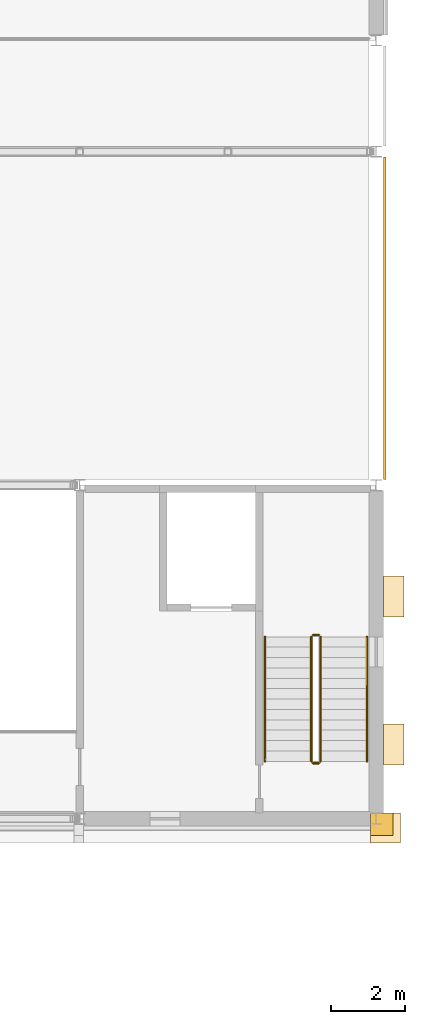
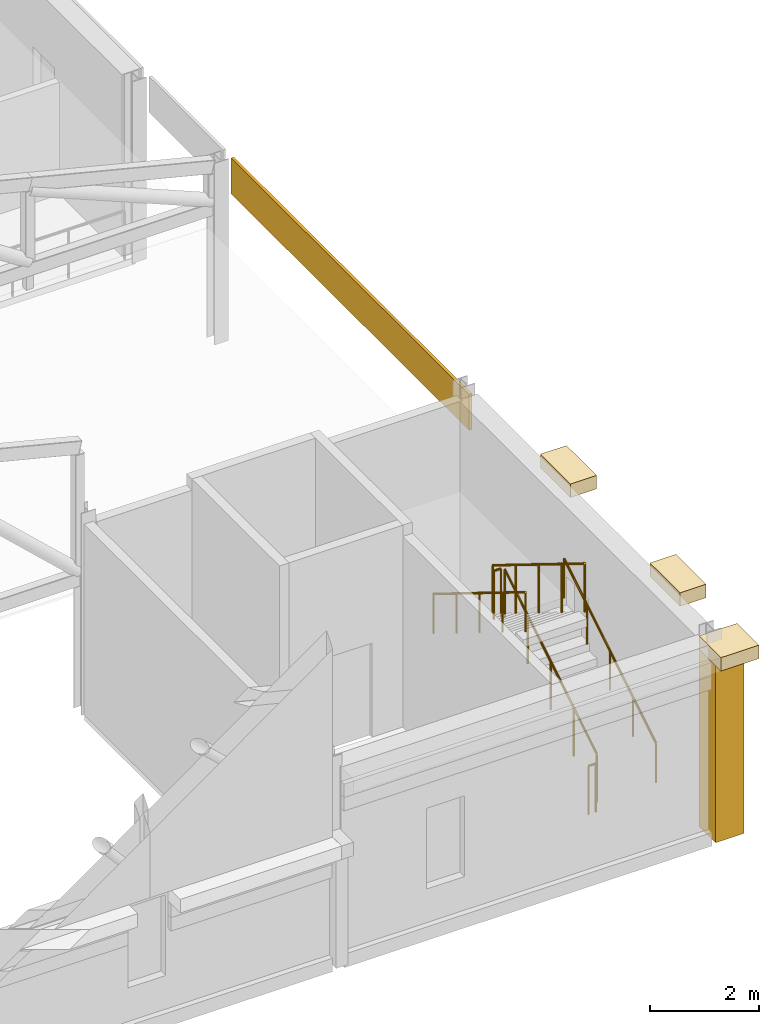
# One storey, part 145 of 149: 6 railings, 5 coverings.
"""IFC4 building model written with IfcOpenShell, lengths in metres."""

from ifc_helpers import new_model, si_unit, direction, frame, origin, origin_2d, place, context, subcontext, project, spatial, rectangle, circle, extrude, material, layer, layer_set, type_object, element, save


model = new_model("IFC4")

# Units and contexts
model_context = context("Model", 3, precision=1e-05, world=origin(), true_north=direction((0.0, 1.0)))
body_context = subcontext(model_context, "Body", "Model", "MODEL_VIEW")
ifc_project = project(units=[si_unit("LENGTHUNIT", "METRE"), si_unit("AREAUNIT", "SQUARE_METRE"), si_unit("VOLUMEUNIT", "CUBIC_METRE"), si_unit("PLANEANGLEUNIT", "RADIAN"), si_unit("MASSUNIT", "GRAM", prefix="KILO")], contexts=[model_context])

# Site, building, storey
site_placement = place(None, origin())
site = spatial("IfcSite", under=ifc_project, at=site_placement, CompositionType="ELEMENT")
building_placement = place(site_placement, origin())
building = spatial("IfcBuilding", under=site, at=building_placement, Name="Kallimachos Central Library", CompositionType="ELEMENT")
storey_placement = place(building_placement, frame((0.0, 0.0, 9.89990234375)))
storey = spatial("IfcBuildingStorey", under=building, at=storey_placement, Name="L02", CompositionType="ELEMENT", Elevation=9.89990234375)

# Covering
ifc_material_1 = material(Name="Glazed ceramic mosaic")
ifc_layer_1 = layer(ifc_material_1, 0.06005859375)
ifc_layer_set_1 = layer_set([ifc_layer_1], Name="Ceramic mosaic frieze")
covering_type_1 = type_object("IfcCoveringType", Name="Ceramic mosaic frieze", PredefinedType="CLADDING", material=ifc_layer_set_1)
covering_1_placement = place(storey_placement, frame((170.22998046875, 100.5, 3.25), z_axis=(0.0, 0.0, 1.0), x_axis=(1.0, 0.0, 0.0)))
element("IfcCovering", 1, at=covering_1_placement, inside=storey, type_object=covering_type_1, Name="Ceramic mosaic frieze", PredefinedType="CLADDING", context=body_context, shape_type="SweptSolid", body=[
    extrude(rectangle(XDim=0.06005859375, YDim=8.699951171875, at=origin_2d()), origin(), (0.0, 0.0, 1.0), 0.800048828125),
])

# Railings
ifc_material_2 = material(Name="Steel S355J2", Category="steel")
railing_type_1 = type_object("IfcRailingType", Name="Stair guard 1100", PredefinedType="GUARDRAIL", material=ifc_material_2)
railing_1_placement = place(storey_placement, frame((168.5, 88.550048828125, 0.173095703125)))
element("IfcRailing", 2, at=railing_1_placement, inside=storey, type_object=railing_type_1, Name="L02 ST7 stair guard 1", PredefinedType="GUARDRAIL", context=body_context, shape_type="SweptSolid", body=[
    extrude(circle(Radius=0.02392578125, at=origin_2d()), frame((0.0, 0.0, 1.076171875), z_axis=(0.0, 0.850606129759, 0.525803396734), x_axis=(-1.0, 0.0, 0.0)), (0.0, 0.0, 1.0), 3.949951171875),
    extrude(circle(Radius=0.02099609375, at=origin_2d()), origin(), (0.0, 0.0, 1.0), 1.052001953125),
    extrude(circle(Radius=0.02099609375, at=origin_2d()), frame((0.0, 0.83984375, 0.519287109375)), (0.0, 0.0, 1.0), 1.052001953125),
    extrude(circle(Radius=0.02099609375, at=origin_2d()), frame((0.0, 1.679931640625, 1.03857421875)), (0.0, 0.0, 1.0), 1.052001953125),
    extrude(circle(Radius=0.02099609375, at=origin_2d()), frame((0.0, 2.52001953125, 1.5576171875)), (0.0, 0.0, 1.0), 1.052001953125),
    extrude(circle(Radius=0.02099609375, at=origin_2d()), frame((0.0, 3.35986328125, 2.076904296875)), (0.0, 0.0, 1.0), 1.052001953125),
])
railing_2_placement = place(storey_placement, frame((168.449951171875, 91.9599609375, 2.25)))
element("IfcRailing", 3, at=railing_2_placement, inside=storey, type_object=railing_type_1, Name="L02 ST7 stair guard 2", PredefinedType="GUARDRAIL", context=body_context, shape_type="SweptSolid", body=[
    extrude(circle(Radius=0.02392578125, at=origin_2d()), frame((0.0, 0.0, 1.076171875), z_axis=(-1.0, 0.0, 0.0), x_axis=(0.0, -1.0, 0.0)), (0.0, 0.0, 1.0), 0.14990234375),
    extrude(circle(Radius=0.02099609375, at=origin_2d()), origin(), (0.0, 0.0, 1.0), 1.052001953125),
    extrude(circle(Radius=0.02099609375, at=origin_2d()), frame((-0.14990234375, 0.0, 0.0)), (0.0, 0.0, 1.0), 1.052001953125),
])
railing_3_placement = place(storey_placement, frame((168.25, 91.909912109375, 2.423095703125)))
element("IfcRailing", 4, at=railing_3_placement, inside=storey, type_object=railing_type_1, Name="L02 ST7 stair guard 3", PredefinedType="GUARDRAIL", context=body_context, shape_type="SweptSolid", body=[
    extrude(circle(Radius=0.02392578125, at=origin_2d()), frame((0.0, 0.0, 1.076171875), z_axis=(0.0, -0.850606129759, 0.525803396734), x_axis=(1.0, 0.0, 0.0)), (0.0, 0.0, 1.0), 3.949951171875),
    extrude(circle(Radius=0.02099609375, at=origin_2d()), origin(), (0.0, 0.0, 1.0), 1.052001953125),
    extrude(circle(Radius=0.02099609375, at=origin_2d()), frame((0.0, -0.83984375, 0.519287109375)), (0.0, 0.0, 1.0), 1.052001953125),
    extrude(circle(Radius=0.02099609375, at=origin_2d()), frame((0.0, -1.679931640625, 1.03857421875)), (0.0, 0.0, 1.0), 1.052001953125),
    extrude(circle(Radius=0.02099609375, at=origin_2d()), frame((0.0, -2.52001953125, 1.5576171875)), (0.0, 0.0, 1.0), 1.052001953125),
    extrude(circle(Radius=0.02099609375, at=origin_2d()), frame((0.0, -3.35986328125, 2.076904296875)), (0.0, 0.0, 1.0), 1.052001953125),
])
railing_4_placement = place(storey_placement, frame((168.449951171875, 88.5, 0.0)))
element("IfcRailing", 5, at=railing_4_placement, inside=storey, type_object=railing_type_1, Name="L02 ST7 stair guard 4", PredefinedType="GUARDRAIL", context=body_context, shape_type="SweptSolid", body=[
    extrude(circle(Radius=0.02392578125, at=origin_2d()), frame((0.0, 0.0, 1.076171875), z_axis=(-1.0, 0.0, 0.0), x_axis=(0.0, -1.0, 0.0)), (0.0, 0.0, 1.0), 0.14990234375),
    extrude(circle(Radius=0.02099609375, at=origin_2d()), origin(), (0.0, 0.0, 1.0), 1.052001953125),
    extrude(circle(Radius=0.02099609375, at=origin_2d()), frame((-0.14990234375, 0.0, 0.0)), (0.0, 0.0, 1.0), 1.052001953125),
])
ifc_material_3 = material(Name="Steel S355J2", Category="steel")
railing_type_2 = type_object("IfcRailingType", Name="Stair handrail 900", PredefinedType="HANDRAIL", material=ifc_material_3)
railing_5_placement = place(storey_placement, frame((169.75, 88.550048828125, 0.173095703125)))
element("IfcRailing", 6, at=railing_5_placement, inside=storey, type_object=railing_type_2, Name="L02 ST7 stair handrail 1", PredefinedType="HANDRAIL", context=body_context, shape_type="SweptSolid", body=[
    extrude(circle(Radius=0.02392578125, at=origin_2d()), frame((0.0, 0.0, 0.8759765625), z_axis=(0.0, 0.850606129759, 0.525803396734), x_axis=(-1.0, 0.0, 0.0)), (0.0, 0.0, 1.0), 3.949951171875),
    extrude(circle(Radius=0.02099609375, at=origin_2d()), origin(), (0.0, 0.0, 1.0), 0.851806640625),
    extrude(circle(Radius=0.02099609375, at=origin_2d()), frame((0.0, 0.83984375, 0.519287109375)), (0.0, 0.0, 1.0), 0.851806640625),
    extrude(circle(Radius=0.02099609375, at=origin_2d()), frame((0.0, 1.679931640625, 1.03857421875)), (0.0, 0.0, 1.0), 0.851806640625),
    extrude(circle(Radius=0.02099609375, at=origin_2d()), frame((0.0, 2.52001953125, 1.5576171875)), (0.0, 0.0, 1.0), 0.851806640625),
    extrude(circle(Radius=0.02099609375, at=origin_2d()), frame((0.0, 3.35986328125, 2.076904296875)), (0.0, 0.0, 1.0), 0.851806640625),
])
railing_6_placement = place(storey_placement, frame((167.0, 91.909912109375, 2.423095703125)))
element("IfcRailing", 7, at=railing_6_placement, inside=storey, type_object=railing_type_2, Name="L02 ST7 stair handrail 2", PredefinedType="HANDRAIL", context=body_context, shape_type="SweptSolid", body=[
    extrude(circle(Radius=0.02392578125, at=origin_2d()), frame((0.0, 0.0, 0.8759765625), z_axis=(0.0, -0.850606129759, 0.525803396734), x_axis=(1.0, 0.0, 0.0)), (0.0, 0.0, 1.0), 3.949951171875),
    extrude(circle(Radius=0.02099609375, at=origin_2d()), origin(), (0.0, 0.0, 1.0), 0.851806640625),
    extrude(circle(Radius=0.02099609375, at=origin_2d()), frame((0.0, -0.83984375, 0.519287109375)), (0.0, 0.0, 1.0), 0.851806640625),
    extrude(circle(Radius=0.02099609375, at=origin_2d()), frame((0.0, -1.679931640625, 1.03857421875)), (0.0, 0.0, 1.0), 0.851806640625),
    extrude(circle(Radius=0.02099609375, at=origin_2d()), frame((0.0, -2.52001953125, 1.5576171875)), (0.0, 0.0, 1.0), 0.851806640625),
    extrude(circle(Radius=0.02099609375, at=origin_2d()), frame((0.0, -3.35986328125, 2.076904296875)), (0.0, 0.0, 1.0), 0.851806640625),
])

# Coverings
ifc_material_4 = material(Name="Pentelic marble cap", Category="masonry")
ifc_layer_2 = layer(ifc_material_4, 0.300048828125)
ifc_layer_set_2 = layer_set([ifc_layer_2], Name="Stone buttress cap 450")
covering_type_2 = type_object("IfcCoveringType", Name="Stone buttress cap 450", PredefinedType="MOLDING", material=ifc_layer_set_2)
for number, where, z_axis, x_axis, name in (
    (8, (170.47509765625, 89.0, 4.0), (0.0, 0.0, 1.0), (1.0, 0.0, 0.0), "Stone buttress cap"),
    (9, (170.47509765625, 93.0, 4.0), (0.0, 0.0, 1.0), (1.0, 0.0, 0.0), "Stone buttress cap"),
):
    element("IfcCovering", number, at=place(storey_placement, frame(where, z_axis=z_axis, x_axis=x_axis)), inside=storey, type_object=covering_type_2, Name=name, PredefinedType="MOLDING", context=body_context, shape_type="SweptSolid", body=[
        extrude(rectangle(XDim=0.550048828125, YDim=1.10009765625, at=origin_2d()), origin(), (0.0, 0.0, 1.0), 0.300048828125),
    ])
ifc_material_5 = material(Name="Pentelic marble cornice", Category="masonry")
ifc_layer_3 = layer(ifc_material_5, 0.449951171875)
ifc_layer_set_3 = layer_set([ifc_layer_3], Name="Stone cornice 450")
covering_type_3 = type_object("IfcCoveringType", Name="Stone cornice 450", PredefinedType="MOLDING", material=ifc_layer_set_3)
covering_2_placement = place(storey_placement, frame((170.25, 86.75, 3.9501953125), z_axis=(0.0, 0.0, 1.0), x_axis=(1.0, 0.0, 0.0)))
element("IfcCovering", 10, at=covering_2_placement, inside=storey, type_object=covering_type_3, Name="Stone cornice 450 corner", PredefinedType="MOLDING", context=body_context, shape_type="SweptSolid", body=[
    extrude(rectangle(XDim=0.800048828125, YDim=0.800048828125, at=origin_2d()), origin(), (0.0, 0.0, 1.0), 0.300048828125),
])
ifc_material_6 = material(Name="Pentelic marble pilaster", Category="masonry")
ifc_layer_4 = layer(ifc_material_6, 0.25)
ifc_layer_set_4 = layer_set([ifc_layer_4], Name="Stone pilaster 250")
covering_type_4 = type_object("IfcCoveringType", Name="Stone pilaster 250", PredefinedType="CLADDING", material=ifc_layer_set_4)
covering_3_placement = place(storey_placement, frame((170.14990234375, 86.85009765625, 0.0), z_axis=(0.0, 0.0, 1.0), x_axis=(1.0, 0.0, 0.0)))
element("IfcCovering", 11, at=covering_3_placement, inside=storey, type_object=covering_type_4, Name="Stone pilaster 250 corner", PredefinedType="CLADDING", context=body_context, shape_type="SweptSolid", body=[
    extrude(rectangle(XDim=0.60009765625, YDim=0.60009765625, at=origin_2d()), origin(), (0.0, 0.0, 1.0), 3.949951171875),
])

save(model, "model.ifc")
